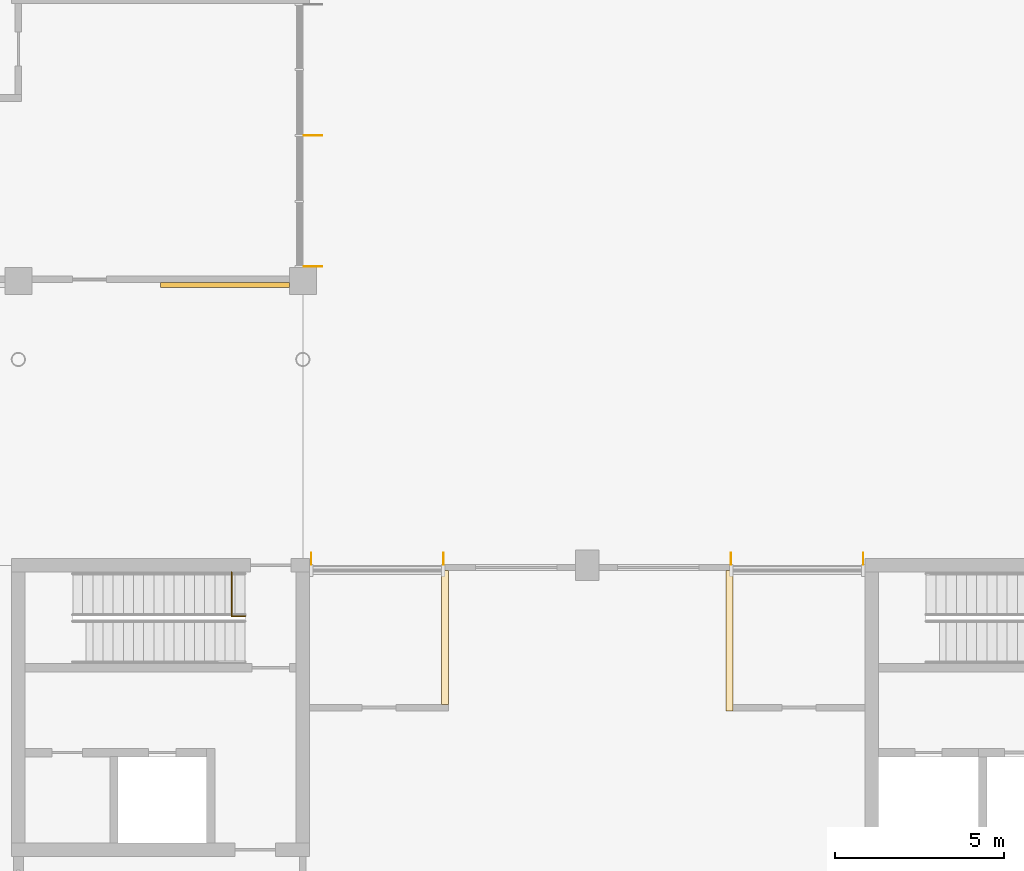
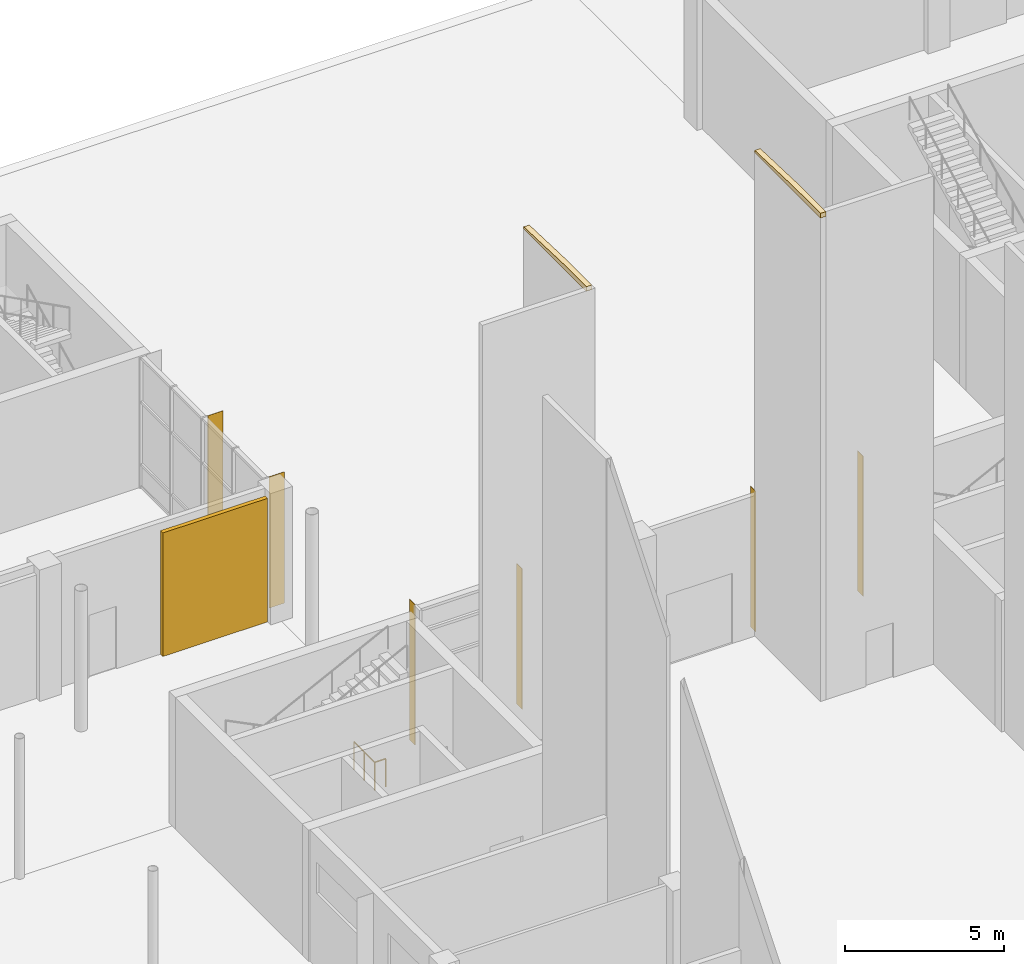
# One storey, part 68 of 76: 7 shading devices, 2 coverings, 1 railing.
"""IFC4 building model written with IfcOpenShell, lengths in metres."""

from ifc_helpers import new_model, si_unit, direction, frame, origin, origin_2d, place, context, subcontext, project, spatial, polyline, rectangle, circle, outline, extrude, material, layer, layer_set, type_object, element, save


model = new_model("IFC4")

# Units and contexts
model_context = context("Model", 3, precision=1e-05, world=origin(), true_north=direction((0.0, 1.0)))
body_context = subcontext(model_context, "Body", "Model", "MODEL_VIEW")
ifc_project = project(units=[si_unit("LENGTHUNIT", "METRE"), si_unit("AREAUNIT", "SQUARE_METRE"), si_unit("VOLUMEUNIT", "CUBIC_METRE"), si_unit("PLANEANGLEUNIT", "RADIAN"), si_unit("MASSUNIT", "GRAM", prefix="KILO")], contexts=[model_context])

# Site, building, storey
site_placement = place(None, origin())
site = spatial("IfcSite", under=ifc_project, at=site_placement, CompositionType="ELEMENT")
building_placement = place(site_placement, origin())
building = spatial("IfcBuilding", under=site, at=building_placement, Name="Hlaing Beacon Police Headquarters", CompositionType="ELEMENT")
storey_placement = place(building_placement, origin())
storey = spatial("IfcBuildingStorey", under=building, at=storey_placement, Name="L00", CompositionType="ELEMENT", Elevation=0.0)

# Shading devices
ifc_material_1 = material(Name="Aluminium 6063-T5 anodised", Category="aluminium")
ifc_layer_1 = layer(ifc_material_1, 0.011962890625)
ifc_layer_set_1 = layer_set([ifc_layer_1], Name="Aluminium 6063-T5 anodised")
shading_device_type_1 = type_object("IfcShadingDeviceType", Name="Aluminium fin 12x350", PredefinedType="JALOUSIE", material=ifc_layer_set_1)
for number, where, z_axis, x_axis, name in (
    (1, (83.75, 67.39990234375, 0.0), (0.0, 0.0, 1.0), (-1.0, 0.0, 0.0), "Fin L00 N020.0"),
    (2, (79.85009765625, 67.39990234375, 0.0), (0.0, 0.0, 1.0), (-1.0, 0.0, 0.0), "Fin L00 N020.1"),
    (3, (71.35009765625, 67.39990234375, 0.0), (0.0, 0.0, 1.0), (-1.0, 0.0, 0.0), "Fin L00 N021.0"),
    (4, (67.449951171875, 67.39990234375, 0.0), (0.0, 0.0, 1.0), (-1.0, 0.0, 0.0), "Fin L00 N021.1"),
):
    element("IfcShadingDevice", number, at=place(storey_placement, frame(where, z_axis=z_axis, x_axis=x_axis)), inside=storey, type_object=shading_device_type_1, Name=name, PredefinedType="JALOUSIE", context=body_context, shape_type="SweptSolid", body=[
        extrude(rectangle(XDim=0.011962890625, YDim=0.35009765625, at=origin_2d()), origin(), (0.0, 0.0, 1.0), 5.39990234375),
    ])
ifc_material_2 = material(Name="Aluminium 6063-T5 anodised", Category="aluminium")
ifc_layer_2 = layer(ifc_material_2, 0.011962890625)
ifc_layer_set_2 = layer_set([ifc_layer_2], Name="Aluminium 6063-T5 anodised")
shading_device_type_2 = type_object("IfcShadingDeviceType", Name="Aluminium fin 12x550", PredefinedType="JALOUSIE", material=ifc_layer_set_2)
for number, where, z_axis, x_axis, name in (
    (5, (67.5, 76.030029296875, 0.0), (0.0, 0.0, 1.0), (0.0, 1.0, 0.0), "Fin L00 E026.0"),
    (6, (67.5, 79.89990234375, 0.0), (0.0, 0.0, 1.0), (0.0, 1.0, 0.0), "Fin L00 E026.2"),
):
    element("IfcShadingDevice", number, at=place(storey_placement, frame(where, z_axis=z_axis, x_axis=x_axis)), inside=storey, type_object=shading_device_type_2, Name=name, PredefinedType="JALOUSIE", context=body_context, shape_type="SweptSolid", body=[
        extrude(rectangle(XDim=0.011962890625, YDim=0.550048828125, at=origin_2d()), origin(), (0.0, 0.0, 1.0), 5.050048828125),
    ])

# Coverings
ifc_material_3 = material(Name="Concrete blockwork 7.5 N/mm2", Category="masonry")
ifc_layer_3 = layer(ifc_material_3, 0.199951171875)
ifc_layer_set_3 = layer_set([ifc_layer_3], Name="Concrete blockwork 7.5 N/mm2")
covering_type = type_object("IfcCoveringType", Name="Closure panel, Custody wall EI 60 200", PredefinedType="CLADDING", material=ifc_layer_set_3)
covering_1_placement = place(storey_placement, frame((71.39990234375, 63.10009765625, 18.591064453125), z_axis=(0.0, 0.0, 1.0), x_axis=(0.0, 1.0, 0.0)))
element("IfcCovering", 7, at=covering_1_placement, inside=storey, type_object=covering_type, Name="Closure panel Custody wall EI 60 200", PredefinedType="CLADDING", context=body_context, shape_type="SweptSolid", body=[
    extrude(outline(polyline([(0.0, 0.0), (3.949951171875, 0.0), (3.949951171875, 0.0908203125), (1.486572265625, 0.178955078125), (0.0, 0.178955078125), (0.0, 0.0)])), frame((0.0, 0.10009765625, 0.0), z_axis=(0.0, -1.0, 0.0), x_axis=(1.0, 0.0, 0.0)), (0.0, 0.0, 1.0), 0.199951171875),
])
covering_2_placement = place(storey_placement, frame((79.800048828125, 62.89990234375, 18.591064453125), z_axis=(0.0, 0.0, 1.0), x_axis=(0.0, 1.0, 0.0)))
element("IfcCovering", 8, at=covering_2_placement, inside=storey, type_object=covering_type, Name="Closure panel Custody wall EI 60 200", PredefinedType="CLADDING", context=body_context, shape_type="SweptSolid", body=[
    extrude(outline(polyline([(0.0, 0.0), (4.150146484375, 0.0), (4.14990234375, 0.0908203125), (1.6865234375, 0.178955078125), (0.0, 0.178955078125), (0.0, 0.0)])), frame((0.0, 0.10009765625, 0.0), z_axis=(0.0, -1.0, 0.0), x_axis=(1.0, 0.0, 0.0)), (0.0, 0.0, 1.0), 0.199951171875),
])

# Shading device
ifc_material_4 = material(Name="Perforated aluminium", Category="aluminium")
ifc_layer_4 = layer(ifc_material_4, 0.14990234375)
ifc_layer_set_4 = layer_set([ifc_layer_4], Name="Perforated aluminium")
shading_device_type_3 = type_object("IfcShadingDeviceType", Name="Perforated screen panel 150", PredefinedType="JALOUSIE", material=ifc_layer_set_4)
shading_device_placement = place(storey_placement, frame((64.89990234375, 75.47509765625, 0.0), z_axis=(0.0, 0.0, 1.0), x_axis=(1.0, 0.0, 0.0)))
element("IfcShadingDevice", 9, at=shading_device_placement, inside=storey, type_object=shading_device_type_3, Name="Screen L00 S022", PredefinedType="JALOUSIE", context=body_context, shape_type="SweptSolid", body=[
    extrude(rectangle(XDim=3.800048828125, YDim=0.14990234375, at=origin_2d()), origin(), (0.0, 0.0, 1.0), 4.75),
])

# Railing
ifc_material_5 = material(Name="Stainless steel", Category="steel")
railing_type = type_object("IfcRailingType", Name="Stair guard 1100", PredefinedType="GUARDRAIL", material=ifc_material_5)
railing_placement = place(storey_placement, frame((65.10009765625, 67.0, 0.0)))
element("IfcRailing", 10, at=railing_placement, inside=storey, type_object=railing_type, Name="Guard ST-B", PredefinedType="GUARDRAIL", context=body_context, shape_type="SweptSolid", body=[
    extrude(circle(Radius=0.02392578125, at=origin_2d()), frame((0.0, 0.0, 1.076171875), z_axis=(0.0, -1.0, 0.0), x_axis=(1.0, 0.0, 0.0)), (0.0, 0.0, 1.0), 1.300048828125),
    extrude(circle(Radius=0.02392578125, at=origin_2d()), frame((0.0, -1.300048828125, 1.076171875), z_axis=(1.0, 0.0, 0.0), x_axis=(0.0, 1.0, 0.0)), (0.0, 0.0, 1.0), 0.39990234375),
    extrude(circle(Radius=0.02099609375, at=origin_2d()), origin(), (0.0, 0.0, 1.0), 1.052001953125),
    extrude(circle(Radius=0.02099609375, at=origin_2d()), frame((0.0, -0.64990234375, 0.0)), (0.0, 0.0, 1.0), 1.052001953125),
    extrude(circle(Radius=0.02099609375, at=origin_2d()), frame((0.0, -1.300048828125, 0.0)), (0.0, 0.0, 1.0), 1.052001953125),
    extrude(circle(Radius=0.02099609375, at=origin_2d()), frame((0.39990234375, -1.300048828125, 0.0)), (0.0, 0.0, 1.0), 1.052001953125),
])

save(model, "model.ifc")
